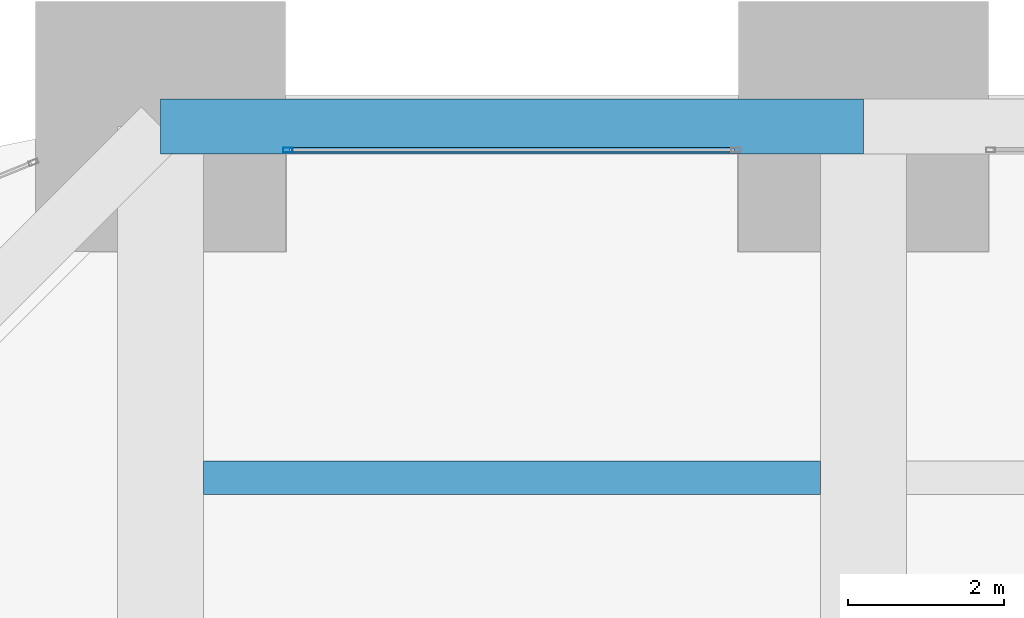
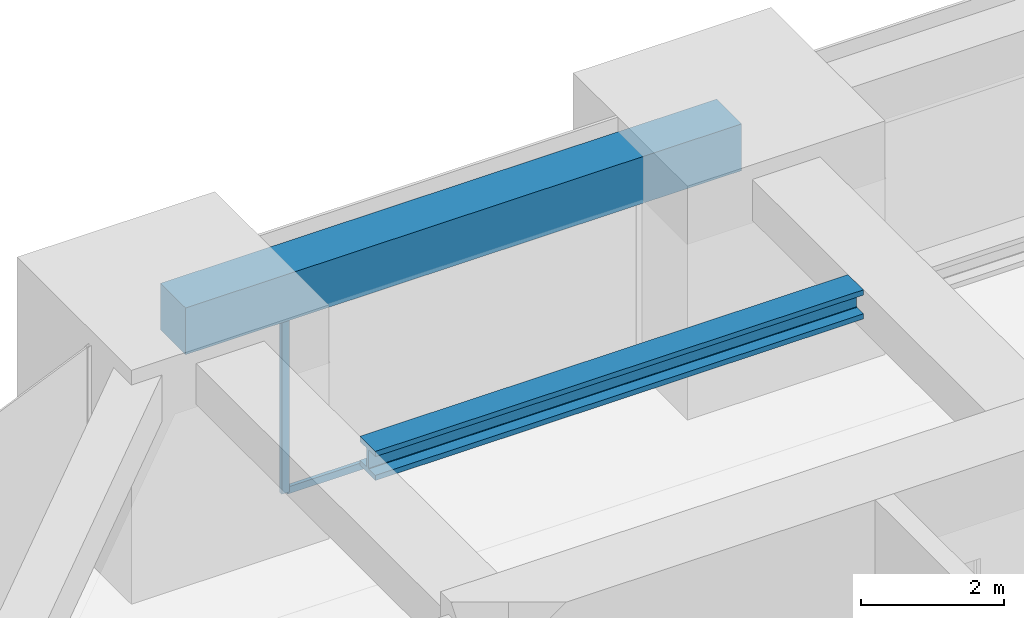
# One storey, part 30 of 43: 2 beams, 2 members, 1 element without a shape of its own.
"""IFC4 building model written with IfcOpenShell, lengths in metres."""

from ifc_helpers import new_model, si_unit, direction, frame, origin, origin_2d, place, context, subcontext, project, spatial, rectangle, hollow_rectangle, i_section, extrude, material, material_profile, profile_set, type_object, element, aggregate, save


model = new_model("IFC4")

# Units and contexts
model_context = context("Model", 3, precision=1e-05, world=origin(), true_north=direction((0.0, 1.0)))
body_context = subcontext(model_context, "Body", "Model", "MODEL_VIEW")
ifc_project = project(units=[si_unit("LENGTHUNIT", "METRE"), si_unit("AREAUNIT", "SQUARE_METRE"), si_unit("VOLUMEUNIT", "CUBIC_METRE"), si_unit("PLANEANGLEUNIT", "RADIAN"), si_unit("MASSUNIT", "GRAM", prefix="KILO")], contexts=[model_context])

# Site, building, storey
site_placement = place(None, origin())
site = spatial("IfcSite", under=ifc_project, at=site_placement, CompositionType="ELEMENT")
building_placement = place(site_placement, origin())
building = spatial("IfcBuilding", under=site, at=building_placement, Name="Zorevar Civic Tower", CompositionType="ELEMENT")
storey_placement = place(building_placement, frame((0.0, 0.0, 243.39990234375)))
storey = spatial("IfcBuildingStorey", under=building, at=storey_placement, Name="L59", CompositionType="ELEMENT", Elevation=243.39990234375)

# Curtain wall, members
ifc_material_1 = material(Name="Dark grey solar-control glass in black aluminium frame", Category="aluminium")
curtain_wall_type = type_object("IfcCurtainWallType", Name="Curtain wall CW5 top zone", PredefinedType="NOTDEFINED", material=ifc_material_1)
curtain_wall_placement = place(storey_placement, origin())
curtain_wall = element("IfcCurtainWall", 1, at=curtain_wall_placement, inside=storey, type_object=curtain_wall_type, Name="CW5 L59", PredefinedType="NOTDEFINED")
ifc_material_2 = material(Name="Aluminium, black anodised", Category="aluminium")
ifc_material_profile_1 = material_profile(ifc_material_2, hollow_rectangle(XDim=0.06005859375, YDim=0.1201171875, WallThickness=0.0029296875, at=origin_2d()), Name="AL 120x60x3")
ifc_profile_set_1 = profile_set([ifc_material_profile_1], Name="Aluminium, black anodised")
member_type_1 = type_object("IfcMemberType", Name="CW5 mullion AL 120x60x3", PredefinedType="MULLION", material=ifc_profile_set_1)
member_1_placement = place(storey_placement, frame((19.6298828125, 44.699951171875, 0.0), z_axis=(0.0, 0.0, 1.0), x_axis=(0.0, 1.0, 0.0)))
member_1 = element("IfcMember", 2, at=member_1_placement, type_object=member_type_1, Name="CW5 mullion 1", PredefinedType="MULLION", context=body_context, shape_type="SweptSolid", body=[
    extrude(hollow_rectangle(XDim=0.06005859375, YDim=0.1201171875, WallThickness=0.0029296875, at=origin_2d()), origin(), (0.0, 0.0, 1.0), 2.9501953125),
])
ifc_material_3 = material(Name="Aluminium, black anodised", Category="aluminium")
ifc_material_profile_2 = material_profile(ifc_material_3, hollow_rectangle(XDim=0.06005859375, YDim=0.1201171875, WallThickness=0.0029296875, at=origin_2d()), Name="AL 120x60x3")
ifc_profile_set_2 = profile_set([ifc_material_profile_2], Name="Aluminium, black anodised")
member_type_2 = type_object("IfcMemberType", Name="CW5 transom AL 120x60x3", PredefinedType="USERDEFINED", material=ifc_profile_set_2)
member_2_placement = place(storey_placement, frame((19.659912109375, 44.699951171875, 0.030029296875), z_axis=(1.0, 0.0, 0.0), x_axis=(0.0, 1.0, 0.0)))
member_2 = element("IfcMember", 3, at=member_2_placement, type_object=member_type_2, Name="CW5 sill transom", ObjectType="TRANSOM", PredefinedType="USERDEFINED", context=body_context, shape_type="SweptSolid", body=[
    extrude(hollow_rectangle(XDim=0.06005859375, YDim=0.1201171875, WallThickness=0.0029296875, at=origin_2d()), origin(), (0.0, 0.0, 1.0), 5.68017578125),
])
aggregate(curtain_wall, [member_1, member_2])

# Beams
ifc_material_4 = material(Name="Steel S460M (HISTAR 460)", Category="steel")
ifc_material_profile_3 = material_profile(ifc_material_4, i_section(OverallWidth=0.431884765625, OverallDepth=0.498046875, WebThickness=0.0556640625, FlangeThickness=0.0888671875, FilletRadius=0.014892578125, at=origin_2d()), Name="HD 400x744")
ifc_profile_set_3 = profile_set([ifc_material_profile_3], Name="Steel S460M (HISTAR 460)")
beam_type_1 = type_object("IfcBeamType", Name="Core bay beam HD 400x744", PredefinedType="BEAM", material=ifc_profile_set_3)
beam_1_placement = place(storey_placement, frame((18.550048828125, 40.5, 3.5009765625), z_axis=(1.0, 0.0, 0.0), x_axis=(0.0, 1.0, 0.0)))
element("IfcBeam", 4, at=beam_1_placement, inside=storey, type_object=beam_type_1, Name="Secondary beam L60", PredefinedType="BEAM", context=body_context, shape_type="SweptSolid", body=[
    extrude(i_section(OverallWidth=0.431884765625, OverallDepth=0.498046875, WebThickness=0.0556640625, FlangeThickness=0.0888671875, FilletRadius=0.014892578125, at=origin_2d()), origin(), (0.0, 0.0, 1.0), 7.89990234375),
])
ifc_material_5 = material(Name="Concrete C50/60", Category="concrete")
ifc_material_profile_4 = material_profile(ifc_material_5, rectangle(XDim=0.699951171875, YDim=0.800048828125, at=origin_2d()), Name="RC 700x800")
ifc_profile_set_4 = profile_set([ifc_material_profile_4], Name="Concrete C50/60")
beam_type_2 = type_object("IfcBeamType", Name="Edge beam RC 700x800", PredefinedType="SPANDREL", material=ifc_profile_set_4)
beam_2_placement = place(storey_placement, frame((18.0, 45.0, 3.35009765625), z_axis=(1.0, 0.0, 0.0), x_axis=(0.0, 1.0, 0.0)))
element("IfcBeam", 5, at=beam_2_placement, inside=storey, type_object=beam_type_2, Name="Edge beam L60", PredefinedType="SPANDREL", context=body_context, shape_type="SweptSolid", body=[
    extrude(rectangle(XDim=0.699951171875, YDim=0.800048828125, at=origin_2d()), origin(), (0.0, 0.0, 1.0), 9.0),
])

save(model, "model.ifc")
